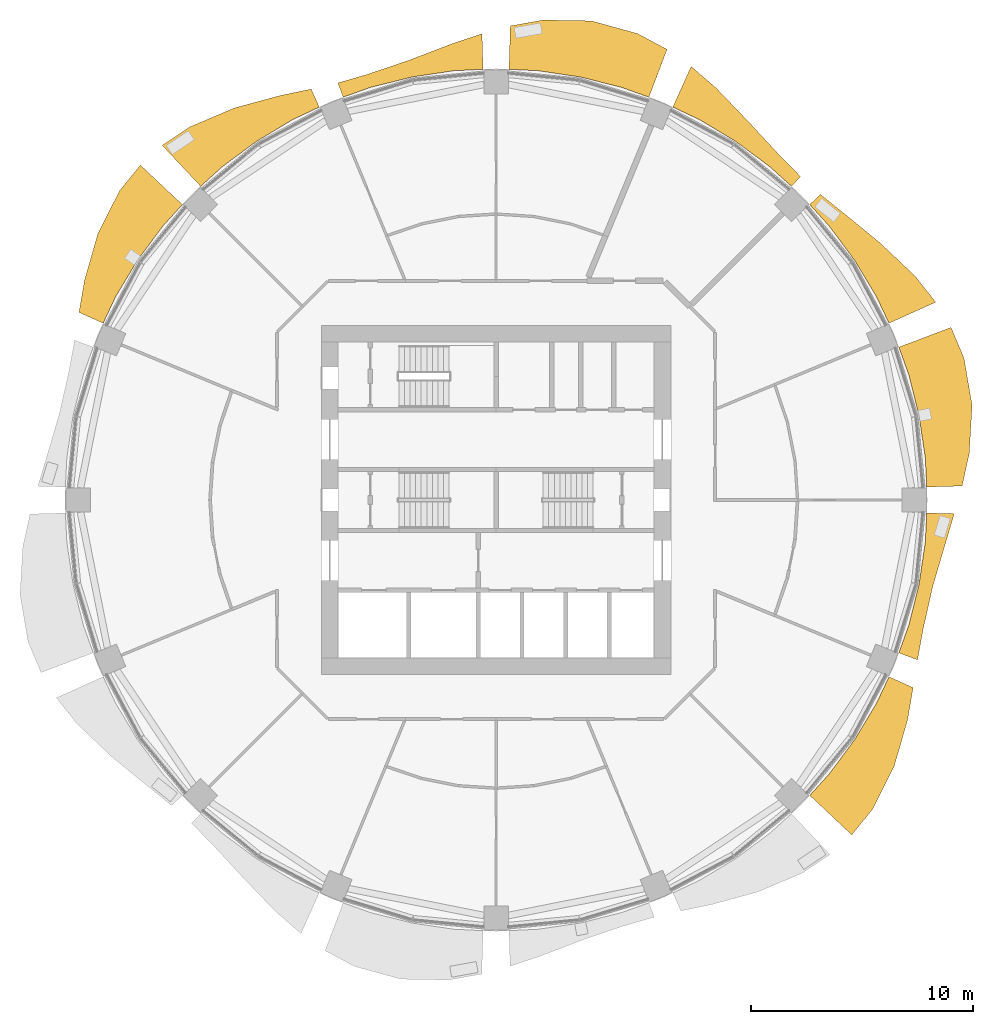
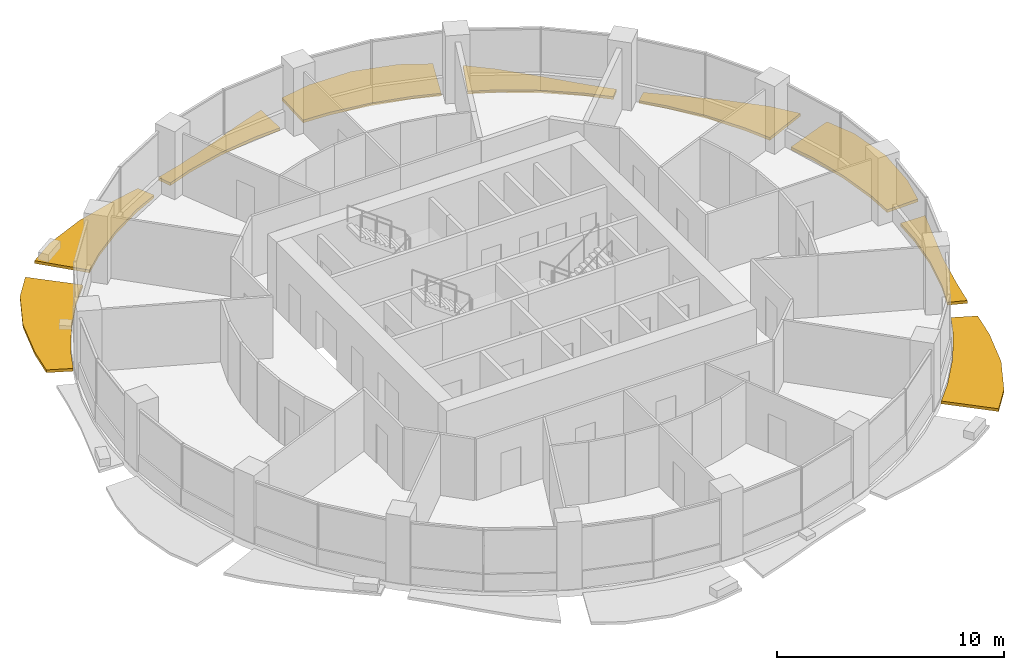
# One storey, part 14 of 15: 9 shading devices.
"""IFC4 building model written with IfcOpenShell, lengths in metres."""

import ifcopenshell
import ifcopenshell.guid

model = None  # the IFC model being written
_history = None  # IfcOwnerHistory: only IFC2X3 demands one
_inside = {}  # id of a spatial element -> (the spatial element, [elements in it])
_under = {}  # id of a project, library or spatial element -> (it, [spatial elements below it])
_declared = {}  # id of a project -> (the project, [libraries it declares])
_typed = {}  # id of a type object -> (the type object, [elements of that type])
_made_of = {}  # id of a material, layer set ... -> (it, [elements and type objects made of it])


def new_model(schema):
    """Start an empty IFC model of exactly this schema.

    Asked for "IFC4X3", IfcOpenShell would pick the latest addendum, in which some entities
    have other attributes; the version numbers below select the first issue.
    IFC2X3 requires an IfcOwnerHistory on every rooted entity: one is made here for all.
    """
    global model, _history
    if schema == "IFC4X3":
        model = ifcopenshell.file(schema_version=(4, 3, 0, 0))
    else:
        model = ifcopenshell.file(schema=schema)
    _inside.clear()
    _under.clear()
    _declared.clear()
    _typed.clear()
    _made_of.clear()
    _history = None
    if model.schema == "IFC2X3":
        org = make("IfcOrganization", Name="unknown")
        user = make(
            "IfcPersonAndOrganization",
            ThePerson=make("IfcPerson", FamilyName="unknown"),
            TheOrganization=org,
        )
        app = make(
            "IfcApplication",
            ApplicationDeveloper=org,
            Version="unknown",
            ApplicationFullName="unknown",
            ApplicationIdentifier="unknown",
        )
        _history = make(
            "IfcOwnerHistory",
            OwningUser=user,
            OwningApplication=app,
            ChangeAction="ADDED",
            CreationDate=0,
        )
    return model


def make(cls, **values):
    """One entity of the class cls with the attributes given. An attribute that is None is left unset."""
    return model.create_entity(
        cls, **{name: value for name, value in values.items() if value is not None}
    )


def rooted(cls, **values):
    """An entity with a GlobalId (a new one), such as an element, a storey or a relation."""
    return make(cls, GlobalId=ifcopenshell.guid.new(), OwnerHistory=_history, **values)


def si_unit(unit_type, name, prefix=None):
    """IfcSIUnit, for example si_unit("LENGTHUNIT", "METRE", prefix="MILLI")."""
    return make("IfcSIUnit", UnitType=unit_type, Prefix=prefix, Name=name)


def assignment(units):
    """IfcUnitAssignment: the units of a project."""
    return None if units is None else make("IfcUnitAssignment", Units=units)


def point(xyz):
    """IfcCartesianPoint."""
    return None if xyz is None else make("IfcCartesianPoint", Coordinates=xyz)


def direction(xyz):
    """IfcDirection."""
    return None if xyz is None else make("IfcDirection", DirectionRatios=xyz)


def frame(location, z_axis=None, x_axis=None):
    """IfcAxis2Placement3D, a coordinate frame: its origin and axes. An axis left out is left unset."""
    return make(
        "IfcAxis2Placement3D",
        Location=point(location),
        Axis=direction(z_axis),
        RefDirection=direction(x_axis),
    )


def origin():
    """The frame at (0, 0, 0) with its axes left unset."""
    return frame((0.0, 0.0, 0.0))


def place(relative_to, where):
    """IfcLocalPlacement: puts the frame where relative to a parent placement (None: the world)."""
    return make(
        "IfcLocalPlacement", PlacementRelTo=relative_to, RelativePlacement=where
    )


def context(
    kind, dimensions, precision=None, world=None, true_north=None, identifier=None
):
    """IfcGeometricRepresentationContext, for example the 3D "Model" context."""
    return make(
        "IfcGeometricRepresentationContext",
        ContextIdentifier=identifier,
        ContextType=kind,
        CoordinateSpaceDimension=dimensions,
        Precision=precision,
        WorldCoordinateSystem=world,
        TrueNorth=true_north,
    )


def subcontext(parent, identifier, kind, view, scale=None):
    """IfcGeometricRepresentationSubContext, for example "Body" below "Model"."""
    return make(
        "IfcGeometricRepresentationSubContext",
        ContextIdentifier=identifier,
        ContextType=kind,
        ParentContext=parent,
        TargetScale=scale,
        TargetView=view,
    )


def project(units=None, contexts=None):
    """IfcProject with its units and contexts."""
    return rooted(
        "IfcProject",
        Name="project",
        RepresentationContexts=contexts,
        UnitsInContext=assignment(units),
    )


def spatial(cls, under=None, at=None, **own):
    """A site, building, storey or space (cls), placed at a placement, below another one or the project."""
    s = rooted(cls, ObjectPlacement=at, **own)
    if under is not None:
        _under.setdefault(under.id(), (under, []))[1].append(s)
    return s


def polyline(points):
    """IfcPolyline through the points."""
    return make("IfcPolyline", Points=[point(p) for p in points])


def outline(outer, holes=None, kind="AREA"):
    """IfcArbitraryClosedProfileDef: a profile drawn as a closed curve; with holes, ...WithVoids."""
    if holes is None:
        return make("IfcArbitraryClosedProfileDef", ProfileType=kind, OuterCurve=outer)
    return make(
        "IfcArbitraryProfileDefWithVoids",
        ProfileType=kind,
        OuterCurve=outer,
        InnerCurves=holes,
    )


def extrude(swept, where, along, depth):
    """IfcExtrudedAreaSolid: the profile swept, set in the frame where, extruded along a direction by depth."""
    return make(
        "IfcExtrudedAreaSolid",
        SweptArea=swept,
        Position=where,
        ExtrudedDirection=direction(along),
        Depth=depth,
    )


def shape(context_of_items, identifier, shape_type, items):
    """IfcShapeRepresentation: the items that make up one representation, for example the "Body"."""
    return make(
        "IfcShapeRepresentation",
        ContextOfItems=context_of_items,
        RepresentationIdentifier=identifier,
        RepresentationType=shape_type,
        Items=items,
    )


def material(Name=None, Category=None):
    """IfcMaterial."""
    return make("IfcMaterial", Name=Name, Category=Category)


def made_of(thing, what):
    """Note that an element or type object is made of a material, layer set ...; save() writes the relation."""
    if what is not None:
        _made_of.setdefault(what.id(), (what, []))[1].append(thing)
    return thing


def type_object(cls, material=None, **own):
    """A type object (cls), such as IfcWallType, which elements share."""
    return made_of(rooted(cls, **own), material)


def element(
    cls,
    number,
    at=None,
    inside=None,
    cuts=None,
    type_object=None,
    material=None,
    context=None,
    identifier="Body",
    shape_type=None,
    held_by="IfcProductDefinitionShape",
    body=None,
    shapes=None,
    **own,
):
    """One element of the class cls, such as IfcWall. Its Tag is "e" and its number.

    at: its placement. inside: the storey or other place that contains it. cuts: it is an
    opening in that element (IfcRelVoidsElement). A single representation is given by context,
    identifier, shape_type and body (its items); several are given by shapes. held_by: the class
    of the entity that holds the representations. save() writes the other relations.
    """
    e = rooted(cls, Tag="e%d" % number, ObjectPlacement=at, **own)
    if body is not None:
        shapes = [shape(context, identifier, shape_type, body)]
    if shapes is not None:
        e.Representation = make(held_by, Representations=shapes)
    if inside is not None:
        _inside.setdefault(inside.id(), (inside, []))[1].append(e)
    if cuts is not None:
        rooted(
            "IfcRelVoidsElement", RelatingBuildingElement=cuts, RelatedOpeningElement=e
        )
    if type_object is not None:
        _typed.setdefault(type_object.id(), (type_object, []))[1].append(e)
    return made_of(e, material)


def aggregate(whole, parts):
    """IfcRelAggregates: a whole, such as a stair, and the parts it consists of."""
    return rooted("IfcRelAggregates", RelatingObject=whole, RelatedObjects=parts)


def save(model, path):
    """Write the relations noted so far, then the file.

    IfcRelAggregates (storeys below a building ...), IfcRelContainedInSpatialStructure (elements
    in a storey), IfcRelDefinesByType, IfcRelAssociatesMaterial and IfcRelDeclares: one each for
    every whole, place, type object, material and project.
    """
    for whole, parts in _under.values():
        aggregate(whole, parts)
    for where, things in _inside.values():
        rooted(
            "IfcRelContainedInSpatialStructure",
            RelatedElements=things,
            RelatingStructure=where,
        )
    for kind, things in _typed.values():
        rooted("IfcRelDefinesByType", RelatedObjects=things, RelatingType=kind)
    for what, things in _made_of.values():
        rooted("IfcRelAssociatesMaterial", RelatedObjects=things, RelatingMaterial=what)
    for by, libraries in _declared.values():
        rooted("IfcRelDeclares", RelatingContext=by, RelatedDefinitions=libraries)
    model.write(path)


model = new_model("IFC4")

# Units and contexts
model_context = context("Model", 3, precision=1e-05, world=origin(), true_north=direction((0.0, 1.0)))
body_context = subcontext(model_context, "Body", "Model", "MODEL_VIEW")
ifc_project = project(units=[si_unit("LENGTHUNIT", "METRE"), si_unit("AREAUNIT", "SQUARE_METRE"), si_unit("VOLUMEUNIT", "CUBIC_METRE"), si_unit("PLANEANGLEUNIT", "RADIAN"), si_unit("MASSUNIT", "GRAM", prefix="KILO")], contexts=[model_context])

# Site, building, storey
site_placement = place(None, origin())
site = spatial("IfcSite", under=ifc_project, at=site_placement, CompositionType="ELEMENT")
building_placement = place(site_placement, origin())
building = spatial("IfcBuilding", under=site, at=building_placement, Name="Polderwave Tower", CompositionType="ELEMENT")
storey_placement = place(building_placement, frame((0.0, 0.0, 76.39990234375)))
storey = spatial("IfcBuildingStorey", under=building, at=storey_placement, Name="L19", CompositionType="ELEMENT", Elevation=76.39990234375)

# Shading devices
ifc_material = material(Name="Terracotta", Category="masonry")
shading_device_type = type_object("IfcShadingDeviceType", Name="Terracotta sunshade band", PredefinedType="USERDEFINED", material=ifc_material)
shading_device_1_placement = place(storey_placement, frame((0.0, 0.0, -0.349853515625)))
element("IfcShadingDevice", 1, at=shading_device_1_placement, inside=storey, type_object=shading_device_type, Name="Sunshade band L19 1", ObjectType="SUNSHADE", PredefinedType="USERDEFINED", context=body_context, shape_type="SweptSolid", body=[
    extrude(outline(polyline([(19.411376953125, 0.583740234375), (19.346435546875, 1.905517578125), (19.06640625, 3.79248046875), (18.602783203125, 5.64306640625), (18.156982421875, 6.88916015625), (20.5068359375, 7.78076171875), (21.0908203125, 6.39794921875), (21.45703125, 4.26806640625), (21.32958984375, 2.100830078125), (21.005615234375, 0.631591796875), (19.411376953125, 0.583740234375)])), origin(), (0.0, 0.0, 1.0), 0.14990234375),
])
shading_device_2_placement = place(storey_placement, frame((0.0, 0.0, -0.349853515625)))
element("IfcShadingDevice", 2, at=shading_device_2_placement, inside=storey, type_object=shading_device_type, Name="Sunshade band L19 2", ObjectType="SUNSHADE", PredefinedType="USERDEFINED", context=body_context, shape_type="SweptSolid", body=[
    extrude(outline(polyline([(17.710205078125, 7.9677734375), (17.14453125, 9.1640625), (16.163818359375, 10.80029296875), (15.02734375, 12.33251953125), (14.138671875, 13.31298828125), (14.62353515625, 13.769775390625), (15.711669921875, 12.894287109375), (17.322998046875, 11.574951171875), (18.88427734375, 10.09375), (19.817626953125, 8.915771484375), (17.710205078125, 7.9677734375)])), origin(), (0.0, 0.0, 1.0), 0.14990234375),
])
shading_device_3_placement = place(storey_placement, frame((0.0, 0.0, -0.349853515625)))
element("IfcShadingDevice", 3, at=shading_device_3_placement, inside=storey, type_object=shading_device_type, Name="Sunshade band L19 3", ObjectType="SUNSHADE", PredefinedType="USERDEFINED", context=body_context, shape_type="SweptSolid", body=[
    extrude(outline(polyline([(13.31298828125, 14.138671875), (12.33251953125, 15.02734375), (10.80029296875, 16.163818359375), (9.1640625, 17.14453125), (7.9677734375, 17.710205078125), (8.791259765625, 19.541015625), (9.92333984375, 18.565185546875), (11.385498046875, 17.039794921875), (12.76416015625, 15.55322265625), (13.724609375, 14.575439453125), (13.31298828125, 14.138671875)])), origin(), (0.0, 0.0, 1.0), 0.14990234375),
])
shading_device_4_placement = place(storey_placement, frame((0.0, 0.0, -0.349853515625)))
element("IfcShadingDevice", 4, at=shading_device_4_placement, inside=storey, type_object=shading_device_type, Name="Sunshade band L19 4", ObjectType="SUNSHADE", PredefinedType="USERDEFINED", context=body_context, shape_type="SweptSolid", body=[
    extrude(outline(polyline([(6.88916015625, 18.156982421875), (5.64306640625, 18.602783203125), (3.79248046875, 19.06640625), (1.905517578125, 19.346435546875), (0.583740234375, 19.411376953125), (0.642578125, 21.3681640625), (2.130859375, 21.634521484375), (4.295654296875, 21.595458984375), (6.376953125, 21.022216796875), (7.706298828125, 20.310791015625), (6.88916015625, 18.156982421875)])), origin(), (0.0, 0.0, 1.0), 0.14990234375),
])
shading_device_5_placement = place(storey_placement, frame((0.0, 0.0, -0.349853515625)))
element("IfcShadingDevice", 5, at=shading_device_5_placement, inside=storey, type_object=shading_device_type, Name="Sunshade band L19 5", ObjectType="SUNSHADE", PredefinedType="USERDEFINED", context=body_context, shape_type="SweptSolid", body=[
    extrude(outline(polyline([(-0.583740234375, 19.411376953125), (-1.905517578125, 19.346435546875), (-3.79248046875, 19.06640625), (-5.64306640625, 18.602783203125), (-6.88916015625, 18.156982421875), (-7.1328125, 18.79931640625), (-5.8173828125, 19.177001953125), (-3.94140625, 19.814208984375), (-2.023681640625, 20.5478515625), (-0.632080078125, 21.015625), (-0.583740234375, 19.411376953125)])), origin(), (0.0, 0.0, 1.0), 0.14990234375),
])
shading_device_6_placement = place(storey_placement, frame((0.0, 0.0, -0.349853515625)))
element("IfcShadingDevice", 6, at=shading_device_6_placement, inside=storey, type_object=shading_device_type, Name="Sunshade band L19 6", ObjectType="SUNSHADE", PredefinedType="USERDEFINED", context=body_context, shape_type="SweptSolid", body=[
    extrude(outline(polyline([(-7.9677734375, 17.710205078125), (-9.1640625, 17.14453125), (-10.80029296875, 16.163818359375), (-12.33251953125, 15.02734375), (-13.31298828125, 14.138671875), (-15.05029296875, 15.9833984375), (-13.801025390625, 16.816650390625), (-11.803466796875, 17.665283203125), (-9.74267578125, 18.22705078125), (-8.33251953125, 18.521484375), (-7.9677734375, 17.710205078125)])), origin(), (0.0, 0.0, 1.0), 0.14990234375),
])
shading_device_7_placement = place(storey_placement, frame((0.0, 0.0, -0.349853515625)))
element("IfcShadingDevice", 7, at=shading_device_7_placement, inside=storey, type_object=shading_device_type, Name="Sunshade band L19 7", ObjectType="SUNSHADE", PredefinedType="USERDEFINED", context=body_context, shape_type="SweptSolid", body=[
    extrude(outline(polyline([(-14.138671875, 13.31298828125), (-15.02734375, 12.33251953125), (-16.163818359375, 10.80029296875), (-17.14453125, 9.1640625), (-17.710205078125, 7.9677734375), (-18.7978515625, 8.45703125), (-18.5458984375, 9.9130859375), (-17.948486328125, 11.992919921875), (-16.97509765625, 13.930908203125), (-16.031494140625, 15.095458984375), (-14.138671875, 13.31298828125)])), origin(), (0.0, 0.0, 1.0), 0.14990234375),
])
shading_device_8_placement = place(storey_placement, frame((0.0, 0.0, -0.349853515625)))
element("IfcShadingDevice", 8, at=shading_device_8_placement, inside=storey, type_object=shading_device_type, Name="Sunshade band L19 15", ObjectType="SUNSHADE", PredefinedType="USERDEFINED", context=body_context, shape_type="SweptSolid", body=[
    extrude(outline(polyline([(14.138671875, -13.31298828125), (15.02734375, -12.33251953125), (16.163818359375, -10.80029296875), (17.14453125, -9.1640625), (17.710205078125, -7.9677734375), (18.7978515625, -8.45703125), (18.5458984375, -9.9130859375), (17.948486328125, -11.992919921875), (16.97509765625, -13.930908203125), (16.031494140625, -15.095458984375), (14.138671875, -13.31298828125)])), origin(), (0.0, 0.0, 1.0), 0.14990234375),
])
shading_device_9_placement = place(storey_placement, frame((0.0, 0.0, -0.349853515625)))
element("IfcShadingDevice", 9, at=shading_device_9_placement, inside=storey, type_object=shading_device_type, Name="Sunshade band L19 16", ObjectType="SUNSHADE", PredefinedType="USERDEFINED", context=body_context, shape_type="SweptSolid", body=[
    extrude(outline(polyline([(18.156982421875, -6.88916015625), (18.602783203125, -5.64306640625), (19.06640625, -3.79248046875), (19.346435546875, -1.905517578125), (19.411376953125, -0.583740234375), (20.653076171875, -0.62109375), (20.24267578125, -1.99365234375), (19.67578125, -3.913818359375), (19.24609375, -5.838134765625), (18.995361328125, -7.20703125), (18.156982421875, -6.88916015625)])), origin(), (0.0, 0.0, 1.0), 0.14990234375),
])

save(model, "model.ifc")
